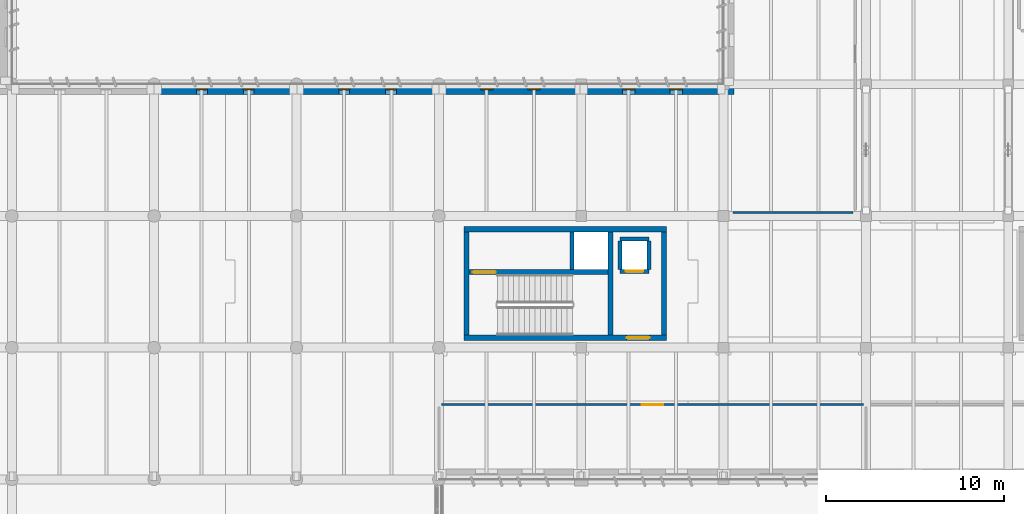
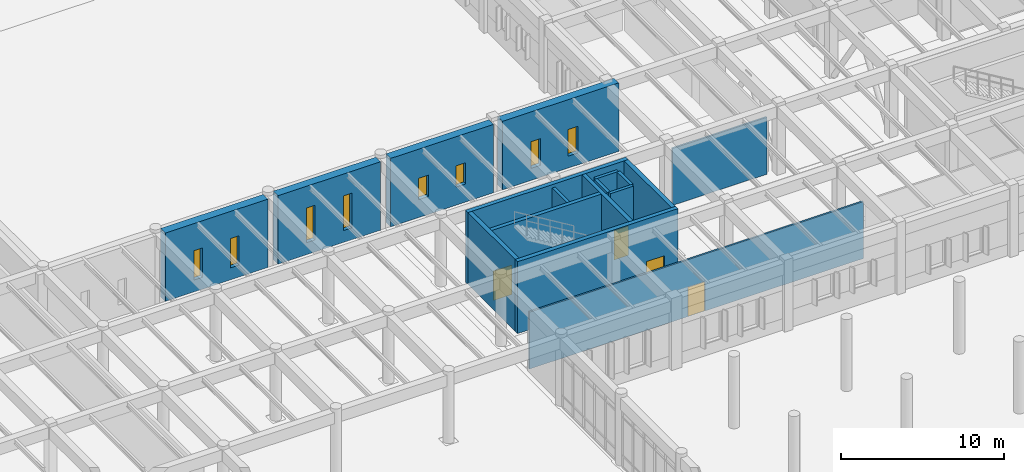
# One storey, part 25 of 56: 17 walls, 8 windows, 4 doors, 12 openings.
"""IFC4 building model written with IfcOpenShell, lengths in metres."""

from ifc_helpers import new_model, si_unit, direction, frame, frame_2d, origin, place, context, subcontext, project, spatial, rectangle, extrude, material, layer, layer_set, type_object, element, fill, save


model = new_model("IFC4")

# Units and contexts
model_context = context("Model", 3, precision=1e-05, world=origin(), true_north=direction((0.0, 1.0)))
body_context = subcontext(model_context, "Body", "Model", "MODEL_VIEW")
ifc_project = project(units=[si_unit("LENGTHUNIT", "METRE"), si_unit("AREAUNIT", "SQUARE_METRE"), si_unit("VOLUMEUNIT", "CUBIC_METRE"), si_unit("PLANEANGLEUNIT", "RADIAN"), si_unit("MASSUNIT", "GRAM", prefix="KILO")], contexts=[model_context])

# Site, building, storey
site_placement = place(None, origin())
site = spatial("IfcSite", under=ifc_project, at=site_placement, CompositionType="ELEMENT")
building_placement = place(site_placement, origin())
building = spatial("IfcBuilding", under=site, at=building_placement, Name="Valkorina Park Police Headquarters", CompositionType="ELEMENT")
storey_placement = place(building_placement, origin())
storey = spatial("IfcBuildingStorey", under=building, at=storey_placement, Name="L01", CompositionType="ELEMENT", Elevation=0.0)

# Wall, opening, door
ifc_material_1 = material(Name="Autoclaved aerated concrete masonry", Category="masonry")
ifc_layer_1 = layer(ifc_material_1, 0.219970703125)
ifc_layer_set_1 = layer_set([ifc_layer_1], Name="Autoclaved aerated concrete masonry")
wall_type_1 = type_object("IfcWallType", Name="WL-CHASE-220-EI60", PredefinedType="PLUMBINGWALL", material=ifc_layer_set_1)
wall_1_placement = place(storey_placement, frame((90.989990234375, 70.889892578125, 0.0), z_axis=(0.0, 0.0, 1.0), x_axis=(1.0, 0.0, 0.0)))
wall_1 = element("IfcWall", 1, at=wall_1_placement, inside=storey, type_object=wall_type_1, Name="Lift LF-08 L01 Shaft Front Wall", PredefinedType="PLUMBINGWALL", context=body_context, shape_type="SweptSolid", body=[
    extrude(rectangle(XDim=1.6201171875, YDim=0.219970703125, at=frame_2d((0.81005859375, 0.0))), origin(), (0.0, 0.0, 1.0), 5.139892578125),
])
opening_1_placement = place(wall_1_placement, frame((0.31005859375, 0.0, 0.0)))
opening_1 = element("IfcOpeningElement", 2, at=opening_1_placement, cuts=wall_1, Name="Opening LD-02", PredefinedType="OPENING", context=body_context, shape_type="SweptSolid", body=[
    extrude(rectangle(XDim=1.0, YDim=2.199951171875, at=frame_2d((0.5, 1.10009765625))), frame((0.0, 0.1201171875, 0.0), z_axis=(0.0, -1.0, 0.0), x_axis=(1.0, 0.0, 0.0)), (0.0, 0.0, 1.0), 0.239990234375),
])
ifc_material_2 = material(Name="Stainless steel EN 1.4404", Category="steel")
ifc_layer_2 = layer(ifc_material_2, 0.050048828125)
ifc_layer_set_2 = layer_set([ifc_layer_2], Name="Stainless steel EN 1.4404")
door_type_1 = type_object("IfcDoorType", Name="DR-LIFT-PAX-1000x2200", OperationType="NOTDEFINED", PredefinedType="DOOR", material=ifc_layer_set_2)
door_1_placement = place(opening_1_placement, origin())
door_1 = element("IfcDoor", 3, at=door_1_placement, inside=storey, type_object=door_type_1, Name="Lift Landing Door LF-08-L01", OperationType="DOUBLE_DOOR_SLIDING", OverallHeight=2.199951171875, OverallWidth=1.0, PredefinedType="DOOR", context=body_context, shape_type="SweptSolid", body=[
    extrude(rectangle(XDim=1.0, YDim=2.199951171875, at=frame_2d((0.5, 1.10009765625))), frame((0.0, 0.02490234375, 0.0), z_axis=(0.0, -1.0, 0.0), x_axis=(1.0, 0.0, 0.0)), (0.0, 0.0, 1.0), 0.050048828125),
])
fill(opening_1, door_1)

# Walls
wall_2_placement = place(storey_placement, frame((90.989990234375, 72.7099609375, 0.0), z_axis=(0.0, 0.0, 1.0), x_axis=(1.0, 0.0, 0.0)))
element("IfcWall", 4, at=wall_2_placement, inside=storey, type_object=wall_type_1, Name="Lift LF-08 L01 Shaft Back Wall", PredefinedType="PLUMBINGWALL", context=body_context, shape_type="SweptSolid", body=[
    extrude(rectangle(XDim=1.6201171875, YDim=0.219970703125, at=frame_2d((0.81005859375, 0.0))), origin(), (0.0, 0.0, 1.0), 5.139892578125),
])
for number, where, z_axis, x_axis, name in (
    (5, (90.989990234375, 71.0, 0.0), (0.0, 0.0, 1.0), (0.0, 1.0, 0.0), "Lift LF-08 L01 Shaft Side Wall W"),
    (6, (92.610107421875, 71.0, 0.0), (0.0, 0.0, 1.0), (0.0, 1.0, 0.0), "Lift LF-08 L01 Shaft Side Wall E"),
):
    element("IfcWall", number, at=place(storey_placement, frame(where, z_axis=z_axis, x_axis=x_axis)), inside=storey, type_object=wall_type_1, Name=name, PredefinedType="PLUMBINGWALL", context=body_context, shape_type="SweptSolid", body=[
        extrude(rectangle(XDim=1.60009765625, YDim=0.219970703125, at=frame_2d((0.800048828125, 0.0))), origin(), (0.0, 0.0, 1.0), 5.139892578125),
    ])
wall_3_placement = place(storey_placement, frame((88.2900390625, 70.97998046875, 0.0), z_axis=(0.0, 0.0, 1.0), x_axis=(0.0, 1.0, 0.0)))
element("IfcWall", 7, at=wall_3_placement, inside=storey, type_object=wall_type_1, Name="Core C6 L01 Riser Shaft West Wall", PredefinedType="PLUMBINGWALL", context=body_context, shape_type="SweptSolid", body=[
    extrude(rectangle(XDim=2.1201171875, YDim=0.219970703125, at=frame_2d((1.06005859375, 0.0))), origin(), (0.0, 0.0, 1.0), 5.139892578125),
])

# Wall, opening, door
ifc_material_3 = material(Name="Concrete C40/50", Category="concrete")
ifc_layer_3 = layer(ifc_material_3, 0.300048828125)
ifc_layer_set_3 = layer_set([ifc_layer_3], Name="Concrete C40/50")
wall_type_2 = type_object("IfcWallType", Name="WL-CORE-300-REI120", PredefinedType="SHEAR", material=ifc_layer_set_3)
wall_4_placement = place(storey_placement, frame((82.199951171875, 67.14990234375, 0.0), z_axis=(0.0, 0.0, 1.0), x_axis=(1.0, 0.0, 0.0)))
wall_4 = element("IfcWall", 8, at=wall_4_placement, inside=storey, type_object=wall_type_2, Name="Core C6 L01 Shear Wall S", PredefinedType="SHEAR", context=body_context, shape_type="SweptSolid", body=[
    extrude(rectangle(XDim=11.400146484375, YDim=0.300048828125, at=frame_2d((5.7001953125, 0.0))), origin(), (0.0, 0.0, 1.0), 5.39501953125),
])
opening_2_placement = place(wall_4_placement, frame((9.14990234375, 0.0, 0.0)))
opening_2 = element("IfcOpeningElement", 9, at=opening_2_placement, cuts=wall_4, Name="Opening FD-03", PredefinedType="OPENING", context=body_context, shape_type="SweptSolid", body=[
    extrude(rectangle(XDim=1.300048828125, YDim=2.199951171875, at=frame_2d((0.64990234375, 1.10009765625))), frame((0.0, 0.16015625, 0.0), z_axis=(0.0, -1.0, 0.0), x_axis=(1.0, 0.0, 0.0)), (0.0, 0.0, 1.0), 0.320068359375),
])
ifc_material_4 = material(Name="Galvanized steel door leaf", Category="steel")
ifc_layer_4 = layer(ifc_material_4, 0.050048828125)
ifc_layer_set_4 = layer_set([ifc_layer_4], Name="Galvanized steel door leaf")
door_type_2 = type_object("IfcDoorType", Name="DR-FIRE-STAIR-1300x2200", OperationType="NOTDEFINED", PredefinedType="DOOR", material=ifc_layer_set_4)
door_2_placement = place(opening_2_placement, origin())
door_2 = element("IfcDoor", 10, at=door_2_placement, inside=storey, type_object=door_type_2, Name="Door D-L01-LBY-C6 (Core C6 Lobby Fire Door)", OperationType="SINGLE_SWING_LEFT", OverallHeight=2.199951171875, OverallWidth=1.300048828125, PredefinedType="DOOR", context=body_context, shape_type="SweptSolid", body=[
    extrude(rectangle(XDim=1.300048828125, YDim=2.199951171875, at=frame_2d((0.64990234375, 1.10009765625))), frame((0.0, 0.02490234375, 0.0), z_axis=(0.0, -1.0, 0.0), x_axis=(1.0, 0.0, 0.0)), (0.0, 0.0, 1.0), 0.050048828125),
])
fill(opening_2, door_2)

# Walls
wall_5_placement = place(storey_placement, frame((82.199951171875, 73.25, 0.0), z_axis=(0.0, 0.0, 1.0), x_axis=(1.0, 0.0, 0.0)))
element("IfcWall", 11, at=wall_5_placement, inside=storey, type_object=wall_type_2, Name="Core C6 L01 Shear Wall N", PredefinedType="SHEAR", context=body_context, shape_type="SweptSolid", body=[
    extrude(rectangle(XDim=11.400146484375, YDim=0.300048828125, at=frame_2d((5.7001953125, 0.0))), origin(), (0.0, 0.0, 1.0), 5.39501953125),
])
for number, where, z_axis, x_axis, name in (
    (12, (82.35009765625, 67.300048828125, 0.0), (0.0, 0.0, 1.0), (0.0, 1.0, 0.0), "Core C6 L01 Shear Wall W"),
    (13, (93.449951171875, 67.300048828125, 0.0), (0.0, 0.0, 1.0), (0.0, 1.0, 0.0), "Core C6 L01 Shear Wall E"),
):
    element("IfcWall", number, at=place(storey_placement, frame(where, z_axis=z_axis, x_axis=x_axis)), inside=storey, type_object=wall_type_2, Name=name, PredefinedType="SHEAR", context=body_context, shape_type="SweptSolid", body=[
        extrude(rectangle(XDim=5.800048828125, YDim=0.300048828125, at=frame_2d((2.89990234375, 0.0))), origin(), (0.0, 0.0, 1.0), 5.39501953125),
    ])

# Wall, openings, windows
ifc_material_5 = material(Name="Concrete C35/45", Category="concrete")
ifc_layer_5 = layer(ifc_material_5, 0.580078125)
ifc_layer_set_5 = layer_set([ifc_layer_5], Name="Concrete C35/45")
wall_type_3 = type_object("IfcWallType", Name="WL-EXT-BOARD-580", PredefinedType="STANDARD", material=ifc_layer_set_5)
wall_6_placement = place(storey_placement, frame((65.159912109375, 81.110107421875, 0.0), z_axis=(0.0, 0.0, 1.0), x_axis=(1.0, 0.0, 0.0)))
wall_6 = element("IfcWall", 14, at=wall_6_placement, inside=storey, type_object=wall_type_3, Name="L01 Architectural Concrete Exterior Wall 0036", PredefinedType="STANDARD", context=body_context, shape_type="SweptSolid", body=[
    extrude(rectangle(XDim=7.280029296875, YDim=0.580078125, at=frame_2d((3.64013671875, 0.0))), origin(), (0.0, 0.0, 1.0), 5.139892578125),
])
opening_3_placement = place(wall_6_placement, frame((2.029541015625, 0.0, 0.89990234375)))
opening_3 = element("IfcOpeningElement", 15, at=opening_3_placement, cuts=wall_6, Name="Opening WN-05", PredefinedType="OPENING", context=body_context, shape_type="SweptSolid", body=[
    extrude(rectangle(XDim=0.60009765625, YDim=2.199951171875, at=frame_2d((0.300048828125, 1.10009765625))), frame((0.0, 0.300048828125, 0.0), z_axis=(0.0, -1.0, 0.0), x_axis=(1.0, 0.0, 0.0)), (0.0, 0.0, 1.0), 0.60009765625),
])
opening_4_placement = place(wall_6_placement, frame((4.650390625, 0.0, 0.89990234375)))
opening_4 = element("IfcOpeningElement", 16, at=opening_4_placement, cuts=wall_6, Name="Opening WN-05", PredefinedType="OPENING", context=body_context, shape_type="SweptSolid", body=[
    extrude(rectangle(XDim=0.60009765625, YDim=2.199951171875, at=frame_2d((0.300048828125, 1.10009765625))), frame((0.0, 0.300048828125, 0.0), z_axis=(0.0, -1.0, 0.0), x_axis=(1.0, 0.0, 0.0)), (0.0, 0.0, 1.0), 0.60009765625),
])
ifc_material_6 = material(Name="Triple low-E insulated glazing", Category="glass")
ifc_layer_6 = layer(ifc_material_6, 0.06005859375)
ifc_layer_set_6 = layer_set([ifc_layer_6], Name="Triple low-E insulated glazing")
window_type_1 = type_object("IfcWindowType", Name="WN-SLOT-600x2200", PartitioningType="SINGLE_PANEL", PredefinedType="WINDOW", material=ifc_layer_set_6)
window_1_placement = place(opening_3_placement, origin())
window_1 = element("IfcWindow", 17, at=window_1_placement, inside=storey, type_object=window_type_1, Name="Window L01-0061", OverallHeight=2.199951171875, OverallWidth=0.60009765625, PartitioningType="SINGLE_PANEL", PredefinedType="WINDOW", context=body_context, shape_type="SweptSolid", body=[
    extrude(rectangle(XDim=0.60009765625, YDim=2.199951171875, at=frame_2d((0.300048828125, 1.10009765625))), frame((0.0, 0.030029296875, 0.0), z_axis=(0.0, -1.0, 0.0), x_axis=(1.0, 0.0, 0.0)), (0.0, 0.0, 1.0), 0.06005859375),
])
fill(opening_3, window_1)
window_2_placement = place(opening_4_placement, origin())
window_2 = element("IfcWindow", 18, at=window_2_placement, inside=storey, type_object=window_type_1, Name="Window L01-0062", OverallHeight=2.199951171875, OverallWidth=0.60009765625, PartitioningType="SINGLE_PANEL", PredefinedType="WINDOW", context=body_context, shape_type="SweptSolid", body=[
    extrude(rectangle(XDim=0.60009765625, YDim=2.199951171875, at=frame_2d((0.300048828125, 1.10009765625))), frame((0.0, 0.030029296875, 0.0), z_axis=(0.0, -1.0, 0.0), x_axis=(1.0, 0.0, 0.0)), (0.0, 0.0, 1.0), 0.06005859375),
])
fill(opening_4, window_2)

wall_7_placement = place(storey_placement, frame((73.159912109375, 81.110107421875, 0.0), z_axis=(0.0, 0.0, 1.0), x_axis=(1.0, 0.0, 0.0)))
wall_7 = element("IfcWall", 19, at=wall_7_placement, inside=storey, type_object=wall_type_3, Name="L01 Architectural Concrete Exterior Wall 0037", PredefinedType="STANDARD", context=body_context, shape_type="SweptSolid", body=[
    extrude(rectangle(XDim=7.280029296875, YDim=0.580078125, at=frame_2d((3.64013671875, 0.0))), origin(), (0.0, 0.0, 1.0), 5.139892578125),
])
opening_5_placement = place(wall_7_placement, frame((2.029541015625, 0.0, 0.89990234375)))
opening_5 = element("IfcOpeningElement", 20, at=opening_5_placement, cuts=wall_7, Name="Opening WN-06", PredefinedType="OPENING", context=body_context, shape_type="SweptSolid", body=[
    extrude(rectangle(XDim=0.60009765625, YDim=2.60009765625, at=frame_2d((0.300048828125, 1.300048828125))), frame((0.0, 0.300048828125, 0.0), z_axis=(0.0, -1.0, 0.0), x_axis=(1.0, 0.0, 0.0)), (0.0, 0.0, 1.0), 0.60009765625),
])
opening_6_placement = place(wall_7_placement, frame((4.650390625, 0.0, 0.89990234375)))
opening_6 = element("IfcOpeningElement", 21, at=opening_6_placement, cuts=wall_7, Name="Opening WN-06", PredefinedType="OPENING", context=body_context, shape_type="SweptSolid", body=[
    extrude(rectangle(XDim=0.60009765625, YDim=2.60009765625, at=frame_2d((0.300048828125, 1.300048828125))), frame((0.0, 0.300048828125, 0.0), z_axis=(0.0, -1.0, 0.0), x_axis=(1.0, 0.0, 0.0)), (0.0, 0.0, 1.0), 0.60009765625),
])
ifc_layer_7 = layer(ifc_material_6, 0.06005859375)
ifc_layer_set_7 = layer_set([ifc_layer_7], Name="Triple low-E insulated glazing")
window_type_2 = type_object("IfcWindowType", Name="WN-SLOT-600x2600", PartitioningType="SINGLE_PANEL", PredefinedType="WINDOW", material=ifc_layer_set_7)
window_3_placement = place(opening_5_placement, origin())
window_3 = element("IfcWindow", 22, at=window_3_placement, inside=storey, type_object=window_type_2, Name="Window L01-0063", OverallHeight=2.60009765625, OverallWidth=0.60009765625, PartitioningType="SINGLE_PANEL", PredefinedType="WINDOW", context=body_context, shape_type="SweptSolid", body=[
    extrude(rectangle(XDim=0.60009765625, YDim=2.60009765625, at=frame_2d((0.300048828125, 1.300048828125))), frame((0.0, 0.030029296875, 0.0), z_axis=(0.0, -1.0, 0.0), x_axis=(1.0, 0.0, 0.0)), (0.0, 0.0, 1.0), 0.06005859375),
])
fill(opening_5, window_3)
window_4_placement = place(opening_6_placement, origin())
window_4 = element("IfcWindow", 23, at=window_4_placement, inside=storey, type_object=window_type_2, Name="Window L01-0064", OverallHeight=2.60009765625, OverallWidth=0.60009765625, PartitioningType="SINGLE_PANEL", PredefinedType="WINDOW", context=body_context, shape_type="SweptSolid", body=[
    extrude(rectangle(XDim=0.60009765625, YDim=2.60009765625, at=frame_2d((0.300048828125, 1.300048828125))), frame((0.0, 0.030029296875, 0.0), z_axis=(0.0, -1.0, 0.0), x_axis=(1.0, 0.0, 0.0)), (0.0, 0.0, 1.0), 0.06005859375),
])
fill(opening_6, window_4)

wall_8_placement = place(storey_placement, frame((81.159912109375, 81.110107421875, 0.0), z_axis=(0.0, 0.0, 1.0), x_axis=(1.0, 0.0, 0.0)))
wall_8 = element("IfcWall", 24, at=wall_8_placement, inside=storey, type_object=wall_type_3, Name="L01 Architectural Concrete Exterior Wall 0038", PredefinedType="STANDARD", context=body_context, shape_type="SweptSolid", body=[
    extrude(rectangle(XDim=7.330078125, YDim=0.580078125, at=frame_2d((3.6650390625, 0.0))), origin(), (0.0, 0.0, 1.0), 5.139892578125),
])
opening_7_placement = place(wall_8_placement, frame((1.99560546875, 0.0, 1.35009765625)))
opening_7 = element("IfcOpeningElement", 25, at=opening_7_placement, cuts=wall_8, Name="Opening WN-07", PredefinedType="OPENING", context=body_context, shape_type="SweptSolid", body=[
    extrude(rectangle(XDim=0.699951171875, YDim=1.60009765625, at=frame_2d((0.35009765625, 0.800048828125))), frame((0.0, 0.300048828125, 0.0), z_axis=(0.0, -1.0, 0.0), x_axis=(1.0, 0.0, 0.0)), (0.0, 0.0, 1.0), 0.60009765625),
])
opening_8_placement = place(wall_8_placement, frame((4.634521484375, 0.0, 1.35009765625)))
opening_8 = element("IfcOpeningElement", 26, at=opening_8_placement, cuts=wall_8, Name="Opening WN-07", PredefinedType="OPENING", context=body_context, shape_type="SweptSolid", body=[
    extrude(rectangle(XDim=0.699951171875, YDim=1.60009765625, at=frame_2d((0.35009765625, 0.800048828125))), frame((0.0, 0.300048828125, 0.0), z_axis=(0.0, -1.0, 0.0), x_axis=(1.0, 0.0, 0.0)), (0.0, 0.0, 1.0), 0.60009765625),
])
ifc_layer_8 = layer(ifc_material_6, 0.06005859375)
ifc_layer_set_8 = layer_set([ifc_layer_8], Name="Triple low-E insulated glazing")
window_type_3 = type_object("IfcWindowType", Name="WN-SLOT-700x1600", PartitioningType="SINGLE_PANEL", PredefinedType="WINDOW", material=ifc_layer_set_8)
window_5_placement = place(opening_7_placement, origin())
window_5 = element("IfcWindow", 27, at=window_5_placement, inside=storey, type_object=window_type_3, Name="Window L01-0065", OverallHeight=1.60009765625, OverallWidth=0.699951171875, PartitioningType="SINGLE_PANEL", PredefinedType="WINDOW", context=body_context, shape_type="SweptSolid", body=[
    extrude(rectangle(XDim=0.699951171875, YDim=1.60009765625, at=frame_2d((0.35009765625, 0.800048828125))), frame((0.0, 0.030029296875, 0.0), z_axis=(0.0, -1.0, 0.0), x_axis=(1.0, 0.0, 0.0)), (0.0, 0.0, 1.0), 0.06005859375),
])
fill(opening_7, window_5)
window_6_placement = place(opening_8_placement, origin())
window_6 = element("IfcWindow", 28, at=window_6_placement, inside=storey, type_object=window_type_3, Name="Window L01-0066", OverallHeight=1.60009765625, OverallWidth=0.699951171875, PartitioningType="SINGLE_PANEL", PredefinedType="WINDOW", context=body_context, shape_type="SweptSolid", body=[
    extrude(rectangle(XDim=0.699951171875, YDim=1.60009765625, at=frame_2d((0.35009765625, 0.800048828125))), frame((0.0, 0.030029296875, 0.0), z_axis=(0.0, -1.0, 0.0), x_axis=(1.0, 0.0, 0.0)), (0.0, 0.0, 1.0), 0.06005859375),
])
fill(opening_8, window_6)

wall_9_placement = place(storey_placement, frame((89.110107421875, 81.110107421875, 0.0), z_axis=(0.0, 0.0, 1.0), x_axis=(1.0, 0.0, 0.0)))
wall_9 = element("IfcWall", 29, at=wall_9_placement, inside=storey, type_object=wall_type_3, Name="L01 Architectural Concrete Exterior Wall 0039", PredefinedType="STANDARD", context=body_context, shape_type="SweptSolid", body=[
    extrude(rectangle(XDim=8.269775390625, YDim=0.580078125, at=frame_2d((4.134765625, 0.0))), origin(), (0.0, 0.0, 1.0), 5.139892578125),
])
opening_9_placement = place(wall_9_placement, frame((2.01171875, 0.0, 0.89990234375)))
opening_9 = element("IfcOpeningElement", 30, at=opening_9_placement, cuts=wall_9, Name="Opening WN-08", PredefinedType="OPENING", context=body_context, shape_type="SweptSolid", body=[
    extrude(rectangle(XDim=0.699951171875, YDim=2.0, at=frame_2d((0.35009765625, 1.0))), frame((0.0, 0.300048828125, 0.0), z_axis=(0.0, -1.0, 0.0), x_axis=(1.0, 0.0, 0.0)), (0.0, 0.0, 1.0), 0.60009765625),
])
opening_10_placement = place(wall_9_placement, frame((4.66845703125, 0.0, 0.89990234375)))
opening_10 = element("IfcOpeningElement", 31, at=opening_10_placement, cuts=wall_9, Name="Opening WN-08", PredefinedType="OPENING", context=body_context, shape_type="SweptSolid", body=[
    extrude(rectangle(XDim=0.699951171875, YDim=2.0, at=frame_2d((0.35009765625, 1.0))), frame((0.0, 0.300048828125, 0.0), z_axis=(0.0, -1.0, 0.0), x_axis=(1.0, 0.0, 0.0)), (0.0, 0.0, 1.0), 0.60009765625),
])
ifc_layer_9 = layer(ifc_material_6, 0.06005859375)
ifc_layer_set_9 = layer_set([ifc_layer_9], Name="Triple low-E insulated glazing")
window_type_4 = type_object("IfcWindowType", Name="WN-SLOT-700x2000", PartitioningType="SINGLE_PANEL", PredefinedType="WINDOW", material=ifc_layer_set_9)
window_7_placement = place(opening_9_placement, origin())
window_7 = element("IfcWindow", 32, at=window_7_placement, inside=storey, type_object=window_type_4, Name="Window L01-0067", OverallHeight=2.0, OverallWidth=0.699951171875, PartitioningType="SINGLE_PANEL", PredefinedType="WINDOW", context=body_context, shape_type="SweptSolid", body=[
    extrude(rectangle(XDim=0.699951171875, YDim=2.0, at=frame_2d((0.35009765625, 1.0))), frame((0.0, 0.030029296875, 0.0), z_axis=(0.0, -1.0, 0.0), x_axis=(1.0, 0.0, 0.0)), (0.0, 0.0, 1.0), 0.06005859375),
])
fill(opening_9, window_7)
window_8_placement = place(opening_10_placement, origin())
window_8 = element("IfcWindow", 33, at=window_8_placement, inside=storey, type_object=window_type_4, Name="Window L01-0068", OverallHeight=2.0, OverallWidth=0.699951171875, PartitioningType="SINGLE_PANEL", PredefinedType="WINDOW", context=body_context, shape_type="SweptSolid", body=[
    extrude(rectangle(XDim=0.699951171875, YDim=2.0, at=frame_2d((0.35009765625, 1.0))), frame((0.0, 0.030029296875, 0.0), z_axis=(0.0, -1.0, 0.0), x_axis=(1.0, 0.0, 0.0)), (0.0, 0.0, 1.0), 0.06005859375),
])
fill(opening_10, window_8)

# Wall, opening, door
ifc_material_7 = material(Name="Gypsum plasterboard")
ifc_layer_10 = layer(ifc_material_7, 0.125)
ifc_layer_set_10 = layer_set([ifc_layer_10], Name="Gypsum plasterboard")
wall_type_4 = type_object("IfcWallType", Name="WL-PART-125-EI30", PredefinedType="PARTITIONING", material=ifc_layer_set_10)
wall_10_placement = place(storey_placement, frame((80.93994140625, 63.39990234375, 0.0), z_axis=(0.0, 0.0, 1.0), x_axis=(1.0, 0.0, 0.0)))
wall_10 = element("IfcWall", 34, at=wall_10_placement, inside=storey, type_object=wall_type_4, Name="L01 Interior Partition 0084 (L01-CMD-01)", PredefinedType="PARTITIONING", context=body_context, shape_type="SweptSolid", body=[
    extrude(rectangle(XDim=23.719970703125, YDim=0.125, at=frame_2d((11.85986328125, 0.0))), origin(), (0.0, 0.0, 1.0), 4.27001953125),
])
opening_11_placement = place(wall_10_placement, frame((11.260009765625, 0.0, 0.0)))
opening_11 = element("IfcOpeningElement", 35, at=opening_11_placement, cuts=wall_10, Name="Opening ID-06", PredefinedType="OPENING", context=body_context, shape_type="SweptSolid", body=[
    extrude(rectangle(XDim=1.199951171875, YDim=2.199951171875, at=frame_2d((0.60009765625, 1.10009765625))), frame((0.0, 0.072509765625, 0.0), z_axis=(0.0, -1.0, 0.0), x_axis=(1.0, 0.0, 0.0)), (0.0, 0.0, 1.0), 0.14501953125),
])
ifc_material_8 = material(Name="Thermally broken aluminium AW-6060", Category="aluminium")
ifc_layer_11 = layer(ifc_material_8, 0.050048828125)
ifc_layer_set_11 = layer_set([ifc_layer_11], Name="Thermally broken aluminium AW-6060")
door_type_3 = type_object("IfcDoorType", Name="DR-INT-LAB-1200x2200", OperationType="NOTDEFINED", PredefinedType="DOOR", material=ifc_layer_set_11)
door_3_placement = place(opening_11_placement, origin())
door_3 = element("IfcDoor", 36, at=door_3_placement, inside=storey, type_object=door_type_3, Name="Door D-L01-I039 (L01-CMD-01)", OperationType="SINGLE_SWING_RIGHT", OverallHeight=2.199951171875, OverallWidth=1.199951171875, PredefinedType="DOOR", context=body_context, shape_type="SweptSolid", body=[
    extrude(rectangle(XDim=1.199951171875, YDim=2.199951171875, at=frame_2d((0.60009765625, 1.10009765625))), frame((0.0, 0.02490234375, 0.0), z_axis=(0.0, -1.0, 0.0), x_axis=(1.0, 0.0, 0.0)), (0.0, 0.0, 1.0), 0.050048828125),
])
fill(opening_11, door_3)

# Walls
wall_11_placement = place(storey_placement, frame((97.340087890625, 74.199951171875, 0.0), z_axis=(0.0, 0.0, 1.0), x_axis=(1.0, 0.0, 0.0)))
element("IfcWall", 37, at=wall_11_placement, inside=storey, type_object=wall_type_4, Name="L01 Interior Partition 0093 (L01-GYM-03)", PredefinedType="PARTITIONING", context=body_context, shape_type="SweptSolid", body=[
    extrude(rectangle(XDim=6.719970703125, YDim=0.125, at=frame_2d((3.35986328125, 0.0))), origin(), (0.0, 0.0, 1.0), 4.27001953125),
])
ifc_layer_12 = layer(ifc_material_3, 0.280029296875)
ifc_layer_set_12 = layer_set([ifc_layer_12], Name="Concrete C40/50")
wall_type_5 = type_object("IfcWallType", Name="WL-STAIR-280-REI120", PredefinedType="SHEAR", material=ifc_layer_set_12)
wall_12_placement = place(storey_placement, frame((90.43994140625, 67.300048828125, 0.0), z_axis=(0.0, 0.0, 1.0), x_axis=(0.0, 1.0, 0.0)))
element("IfcWall", 38, at=wall_12_placement, inside=storey, type_object=wall_type_5, Name="Core C6 L01 Shear Wall DIV", PredefinedType="SHEAR", context=body_context, shape_type="SweptSolid", body=[
    extrude(rectangle(XDim=5.800048828125, YDim=0.280029296875, at=frame_2d((2.89990234375, 0.0))), origin(), (0.0, 0.0, 1.0), 5.39501953125),
])

# Wall, opening, door
wall_13_placement = place(storey_placement, frame((82.5, 70.840087890625, 0.0), z_axis=(0.0, 0.0, 1.0), x_axis=(1.0, 0.0, 0.0)))
wall_13 = element("IfcWall", 39, at=wall_13_placement, inside=storey, type_object=wall_type_5, Name="Core C6 L01 Shear Wall SIDE", PredefinedType="SHEAR", context=body_context, shape_type="SweptSolid", body=[
    extrude(rectangle(XDim=7.800048828125, YDim=0.280029296875, at=frame_2d((3.89990234375, 0.0))), origin(), (0.0, 0.0, 1.0), 5.39501953125),
])
opening_12_placement = place(wall_13_placement, frame((0.199951171875, 0.0, 0.0)))
opening_12 = element("IfcOpeningElement", 40, at=opening_12_placement, cuts=wall_13, Name="Opening FD-03", PredefinedType="OPENING", context=body_context, shape_type="SweptSolid", body=[
    extrude(rectangle(XDim=1.300048828125, YDim=2.199951171875, at=frame_2d((0.64990234375, 1.10009765625))), frame((0.0, 0.14990234375, 0.0), z_axis=(0.0, -1.0, 0.0), x_axis=(1.0, 0.0, 0.0)), (0.0, 0.0, 1.0), 0.300048828125),
])
door_4_placement = place(opening_12_placement, origin())
door_4 = element("IfcDoor", 41, at=door_4_placement, inside=storey, type_object=door_type_2, Name="Door D-L01-C162 (ST-06 Stair Fire Door)", OperationType="SINGLE_SWING_LEFT", OverallHeight=2.199951171875, OverallWidth=1.300048828125, PredefinedType="DOOR", context=body_context, shape_type="SweptSolid", body=[
    extrude(rectangle(XDim=1.300048828125, YDim=2.199951171875, at=frame_2d((0.64990234375, 1.10009765625))), frame((0.0, 0.02490234375, 0.0), z_axis=(0.0, -1.0, 0.0), x_axis=(1.0, 0.0, 0.0)), (0.0, 0.0, 1.0), 0.050048828125),
])
fill(opening_12, door_4)

save(model, "model.ifc")
